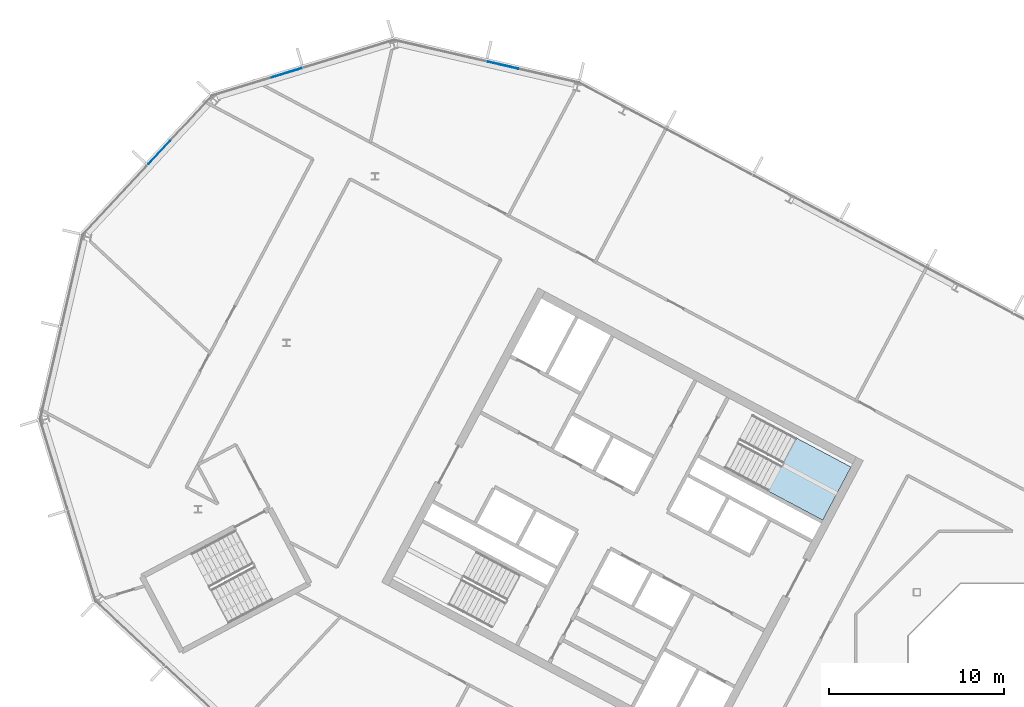
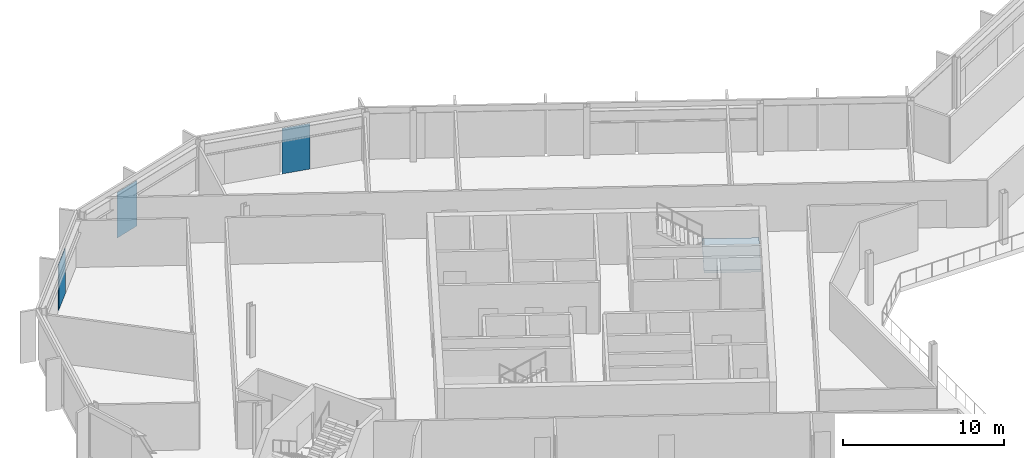
# One storey, part 11 of 26: 3 plates, 1 slab, 4 elements without a shape of their own.
"""IFC4 building model written with IfcOpenShell, lengths in metres."""

from ifc_helpers import new_model, si_unit, direction, frame, origin, origin_2d, place, context, subcontext, project, spatial, polyline, rectangle, outline, extrude, material, layer, layer_set, type_object, element, aggregate, save


model = new_model("IFC4")

# Units and contexts
model_context = context("Model", 3, precision=1e-05, world=origin(), true_north=direction((0.0, 1.0)))
body_context = subcontext(model_context, "Body", "Model", "MODEL_VIEW")
ifc_project = project(units=[si_unit("LENGTHUNIT", "METRE"), si_unit("AREAUNIT", "SQUARE_METRE"), si_unit("VOLUMEUNIT", "CUBIC_METRE"), si_unit("PLANEANGLEUNIT", "RADIAN"), si_unit("MASSUNIT", "GRAM", prefix="KILO")], contexts=[model_context])

# Site, building, storey
site_placement = place(None, origin())
site = spatial("IfcSite", under=ifc_project, at=site_placement, CompositionType="ELEMENT")
building_placement = place(site_placement, origin())
building = spatial("IfcBuilding", under=site, at=building_placement, Name="Cormorant Relay Tower", CompositionType="ELEMENT")
storey_placement = place(building_placement, frame((0.0, 0.0, 261.89990234375)))
storey = spatial("IfcBuildingStorey", under=building, at=storey_placement, Name="L58", CompositionType="ELEMENT", Elevation=261.89990234375)

# Curtain wall, plate
ifc_material_1 = material(Name="Aluminium 6063-T6 anodised bronze", Category="aluminium")
ifc_layer_1 = layer(ifc_material_1, 0.199951171875)
ifc_layer_set_1 = layer_set([ifc_layer_1], Name="CW1 unitised bronze curtain wall with vertical fins")
curtain_wall_type = type_object("IfcCurtainWallType", Name="CW1 unitised bronze curtain wall with vertical fins", PredefinedType="NOTDEFINED", material=ifc_layer_set_1)
curtain_wall_1_placement = place(storey_placement, origin())
curtain_wall_1 = element("IfcCurtainWall", 1, at=curtain_wall_1_placement, inside=storey, type_object=curtain_wall_type, Name="CW1 curtain wall 10", PredefinedType="NOTDEFINED")
ifc_material_2 = material(Name="Tinted laminated glass", Category="glass")
ifc_layer_2 = layer(ifc_material_2, 0.0400390625)
ifc_layer_set_2 = layer_set([ifc_layer_2], Name="CW1 tinted vision panel 1800 module")
plate_type = type_object("IfcPlateType", Name="CW1 tinted vision panel 1800 module", PredefinedType="CURTAIN_PANEL", material=ifc_layer_set_2)
plate_1_placement = place(storey_placement, frame((-34.215087890625, 40.69091796875, 0.0), z_axis=(0.0, 0.0, 1.0), x_axis=(-0.974370064785, 0.224951054344, 0.0)))
plate_1 = element("IfcPlate", 2, at=plate_1_placement, type_object=plate_type, Name="CW1 panel V01", PredefinedType="CURTAIN_PANEL", context=body_context, shape_type="SweptSolid", body=[
    extrude(rectangle(XDim=1.800048828125, YDim=0.0400390625, at=origin_2d()), origin(), (0.0, 0.0, 1.0), 3.449951171875),
])
aggregate(curtain_wall_1, [plate_1])

curtain_wall_2_placement = place(storey_placement, origin())
curtain_wall_2 = element("IfcCurtainWall", 3, at=curtain_wall_2_placement, inside=storey, type_object=curtain_wall_type, Name="CW1 curtain wall 11", PredefinedType="NOTDEFINED")
plate_2_placement = place(storey_placement, frame((-46.6015625, 40.25830078125, 0.0), z_axis=(0.0, 0.0, 1.0), x_axis=(-0.956304755963, -0.292371704723, 0.0)))
plate_2 = element("IfcPlate", 4, at=plate_2_placement, type_object=plate_type, Name="CW1 panel V01", PredefinedType="CURTAIN_PANEL", context=body_context, shape_type="SweptSolid", body=[
    extrude(rectangle(XDim=1.800048828125, YDim=0.0400390625, at=origin_2d()), origin(), (0.0, 0.0, 1.0), 3.449951171875),
])
aggregate(curtain_wall_2, [plate_2])

curtain_wall_3_placement = place(storey_placement, origin())
curtain_wall_3 = element("IfcCurtainWall", 5, at=curtain_wall_3_placement, inside=storey, type_object=curtain_wall_type, Name="CW1 curtain wall 12", PredefinedType="NOTDEFINED")
plate_3_placement = place(storey_placement, frame((-53.91748046875, 35.68701171875, 0.0), z_axis=(0.0, 0.0, 1.0), x_axis=(-0.681998360062, -0.731353701619, 0.0)))
plate_3 = element("IfcPlate", 6, at=plate_3_placement, type_object=plate_type, Name="CW1 panel V01", PredefinedType="CURTAIN_PANEL", context=body_context, shape_type="SweptSolid", body=[
    extrude(rectangle(XDim=1.800048828125, YDim=0.0400390625, at=origin_2d()), origin(), (0.0, 0.0, 1.0), 3.449951171875),
])
aggregate(curtain_wall_3, [plate_3])

# Stair, slab
ifc_material_3 = material(Name="Concrete 40 MPa", Category="concrete")
stair_type = type_object("IfcStairType", Name="Exit stair 1500", PredefinedType="HALF_TURN_STAIR", material=ifc_material_3)
stair_placement = place(storey_placement, origin())
stair = element("IfcStair", 7, at=stair_placement, inside=storey, type_object=stair_type, Name="L58 Stair", PredefinedType="HALF_TURN_STAIR")
ifc_material_4 = material(Name="Concrete 40 MPa", Category="concrete")
ifc_layer_3 = layer(ifc_material_4, 0.199951171875)
ifc_layer_set_3 = layer_set([ifc_layer_3], Name="Exit stair landing 200")
slab_type = type_object("IfcSlabType", Name="Exit stair landing 200", PredefinedType="LANDING", material=ifc_layer_set_3)
slab_placement = place(storey_placement, frame((0.0, 0.0, 1.75)))
slab = element("IfcSlab", 8, at=slab_placement, type_object=slab_type, Name="A1 landing 1", PredefinedType="LANDING", context=body_context, shape_type="SweptSolid", body=[
    extrude(outline(polyline([(-19.029541015625, 16.29052734375), (-15.89501953125, 14.6240234375), (-14.275390625, 17.670166015625), (-17.40966796875, 19.3369140625), (-19.029541015625, 16.29052734375)])), origin(), (0.0, 0.0, 1.0), 0.2001953125),
])
aggregate(stair, [slab])

save(model, "model.ifc")
